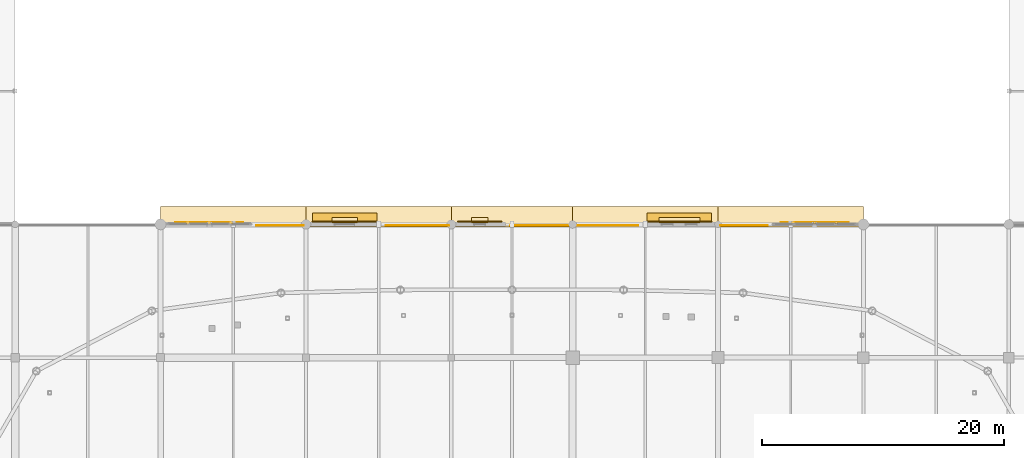
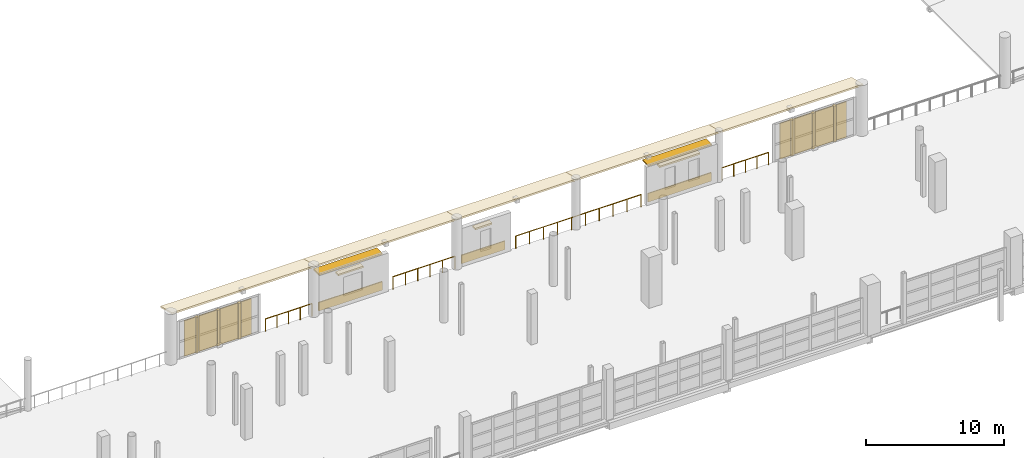
# One storey, part 108 of 118: 17 coverings, 4 railings, 4 shading devices.
"""IFC4 building model written with IfcOpenShell, lengths in metres."""

from ifc_helpers import new_model, si_unit, direction, frame, origin, origin_2d, place, context, subcontext, project, spatial, polyline, rectangle, circle, outline, extrude, material, layer, layer_set, type_object, element, save


model = new_model("IFC4")

# Units and contexts
model_context = context("Model", 3, precision=1e-05, world=origin(), true_north=direction((0.0, 1.0)))
body_context = subcontext(model_context, "Body", "Model", "MODEL_VIEW")
ifc_project = project(units=[si_unit("LENGTHUNIT", "METRE"), si_unit("AREAUNIT", "SQUARE_METRE"), si_unit("VOLUMEUNIT", "CUBIC_METRE"), si_unit("PLANEANGLEUNIT", "RADIAN"), si_unit("MASSUNIT", "GRAM", prefix="KILO")], contexts=[model_context])

# Site, building, storey
site_placement = place(None, origin())
site = spatial("IfcSite", under=ifc_project, at=site_placement, CompositionType="ELEMENT")
building_placement = place(site_placement, origin())
building = spatial("IfcBuilding", under=site, at=building_placement, Name="Luwafu Chhajja Arena", CompositionType="ELEMENT")
storey_placement = place(building_placement, frame((0.0, 0.0, 10.199951171875)))
storey = spatial("IfcBuildingStorey", under=building, at=storey_placement, Name="L02", CompositionType="ELEMENT", Elevation=10.199951171875)

# Coverings
ifc_material_1 = material(Name="Red laterite sandstone cladding", Category="masonry")
ifc_layer_1 = layer(ifc_material_1, 0.074951171875, Name="Red laterite sandstone cladding")
ifc_layer_set_1 = layer_set([ifc_layer_1], Name="Red laterite sandstone cladding")
covering_type = type_object("IfcCoveringType", Name="Dressed Red-Laterite Sandstone Cladding", PredefinedType="CLADDING", material=ifc_layer_set_1)
covering_1_placement = place(storey_placement, frame((70.0, 98.800048828125, 4.4599609375), z_axis=(0.0, 0.242502450825, 0.970150793096), x_axis=(1.0, 0.0, 0.0)))
element("IfcCovering", 1, at=covering_1_placement, inside=storey, type_object=covering_type, Name="L02 Continuous Sloped Sandstone Chhajja Eave 0154", PredefinedType="CLADDING", context=body_context, shape_type="SweptSolid", body=[
    extrude(outline(polyline([(0.0, 0.0), (12.0, 0.0), (12.0, 1.731619097341133), (0.0, 1.731619097341133), (0.0, 0.0)])), origin(), (0.0, 0.0, -1.0), 0.1298828125),
])
for number, where, z_axis, x_axis, name in (
    (2, (72.231689453125, 99.1298828125, 0.0), (0.0, 0.0, 1.0), (1.0, 0.0, 0.0), "L02 Sandstone Jali Mullion Fin 038"),
    (3, (74.023681640625, 99.1298828125, 0.0), (0.0, 0.0, 1.0), (1.0, 0.0, 0.0), "L02 Sandstone Jali Mullion Fin 038"),
    (4, (75.81591796875, 99.1298828125, 0.0), (0.0, 0.0, 1.0), (1.0, 0.0, 0.0), "L02 Sandstone Jali Mullion Fin 038"),
):
    element("IfcCovering", number, at=place(storey_placement, frame(where, z_axis=z_axis, x_axis=x_axis)), inside=storey, type_object=covering_type, Name=name, PredefinedType="CLADDING", context=body_context, shape_type="SweptSolid", body=[
        extrude(rectangle(XDim=0.219970703125, YDim=0.239990234375, at=origin_2d()), origin(), (0.0, 0.0, 1.0), 3.155029296875),
    ])
covering_2_placement = place(storey_placement, frame((82.0, 98.800048828125, 4.4599609375), z_axis=(0.0, 0.242502450825, 0.970150793096), x_axis=(1.0, 0.0, 0.0)))
element("IfcCovering", 5, at=covering_2_placement, inside=storey, type_object=covering_type, Name="L02 Continuous Sloped Sandstone Chhajja Eave 0155", PredefinedType="CLADDING", context=body_context, shape_type="SweptSolid", body=[
    extrude(outline(polyline([(0.0, 0.0), (12.0, 0.0), (12.0, 1.731619097341133), (0.0, 1.731619097341133), (0.0, 0.0)])), origin(), (0.0, 0.0, -1.0), 0.1298828125),
])
covering_3_placement = place(storey_placement, frame((85.1884765625, 99.2119140625, 0.0), z_axis=(0.0, 0.0, 1.0), x_axis=(1.0, 0.0, 0.0)))
element("IfcCovering", 6, at=covering_3_placement, inside=storey, type_object=covering_type, Name="L02 Red-Laterite Sandstone Plinth Cladding 057", PredefinedType="CLADDING", context=body_context, shape_type="SweptSolid", body=[
    extrude(rectangle(XDim=5.337158203125, YDim=0.0849609375, at=origin_2d()), origin(), (0.0, 0.0, 1.0), 0.760009765625),
])
covering_4_placement = place(storey_placement, frame((85.188720703125, 99.340087890625, 2.580078125), z_axis=(0.0, 0.0, 1.0), x_axis=(1.0, 0.0, 0.0)))
element("IfcCovering", 7, at=covering_4_placement, inside=storey, type_object=covering_type, Name="L02 Mughal Sandstone Window Chhajja Hood 0055", PredefinedType="CLADDING", context=body_context, shape_type="SweptSolid", body=[
    extrude(rectangle(XDim=2.10009765625, YDim=0.419921875, at=origin_2d()), origin(), (0.0, 0.0, 1.0), 0.139892578125),
])
covering_5_placement = place(storey_placement, frame((94.0, 98.800048828125, 4.4599609375), z_axis=(0.0, 0.242502450825, 0.970150793096), x_axis=(1.0, 0.0, 0.0)))
element("IfcCovering", 8, at=covering_5_placement, inside=storey, type_object=covering_type, Name="L02 Continuous Sloped Sandstone Chhajja Eave 0156", PredefinedType="CLADDING", context=body_context, shape_type="SweptSolid", body=[
    extrude(outline(polyline([(0.0, 0.0), (10.0, 0.0), (10.0, 1.731619097341133), (0.0, 1.731619097341133), (0.0, 0.0)])), origin(), (0.0, 0.0, -1.0), 0.1298828125),
])
covering_6_placement = place(storey_placement, frame((96.339111328125, 99.2119140625, 0.0), z_axis=(0.0, 0.0, 1.0), x_axis=(1.0, 0.0, 0.0)))
element("IfcCovering", 9, at=covering_6_placement, inside=storey, type_object=covering_type, Name="L02 Red-Laterite Sandstone Plinth Cladding 058", PredefinedType="CLADDING", context=body_context, shape_type="SweptSolid", body=[
    extrude(rectangle(XDim=3.63818359375, YDim=0.0849609375, at=origin_2d()), origin(), (0.0, 0.0, 1.0), 0.760009765625),
])
covering_7_placement = place(storey_placement, frame((96.339111328125, 99.340087890625, 2.6298828125), z_axis=(0.0, 0.0, 1.0), x_axis=(1.0, 0.0, 0.0)))
element("IfcCovering", 10, at=covering_7_placement, inside=storey, type_object=covering_type, Name="L02 Mughal Sandstone Window Chhajja Hood 0056", PredefinedType="CLADDING", context=body_context, shape_type="SweptSolid", body=[
    extrude(rectangle(XDim=1.39990234375, YDim=0.419921875, at=origin_2d()), origin(), (0.0, 0.0, 1.0), 0.139892578125),
])
covering_8_placement = place(storey_placement, frame((104.0, 98.800048828125, 4.4599609375), z_axis=(0.0, 0.242502450825, 0.970150793096), x_axis=(1.0, 0.0, 0.0)))
element("IfcCovering", 11, at=covering_8_placement, inside=storey, type_object=covering_type, Name="L02 Continuous Sloped Sandstone Chhajja Eave 0157", PredefinedType="CLADDING", context=body_context, shape_type="SweptSolid", body=[
    extrude(outline(polyline([(0.0, 0.0), (12.0, 0.0), (12.0, 1.731619097341133), (0.0, 1.731619097341133), (0.0, 0.0)])), origin(), (0.0, 0.0, -1.0), 0.1298828125),
])
covering_9_placement = place(storey_placement, frame((112.8115234375, 99.2119140625, 0.0), z_axis=(0.0, 0.0, 1.0), x_axis=(1.0, 0.0, 0.0)))
element("IfcCovering", 12, at=covering_9_placement, inside=storey, type_object=covering_type, Name="L02 Red-Laterite Sandstone Plinth Cladding 059", PredefinedType="CLADDING", context=body_context, shape_type="SweptSolid", body=[
    extrude(rectangle(XDim=5.337158203125, YDim=0.0849609375, at=origin_2d()), origin(), (0.0, 0.0, 1.0), 0.760009765625),
])
covering_10_placement = place(storey_placement, frame((112.811279296875, 99.340087890625, 2.72998046875), z_axis=(0.0, 0.0, 1.0), x_axis=(1.0, 0.0, 0.0)))
element("IfcCovering", 13, at=covering_10_placement, inside=storey, type_object=covering_type, Name="L02 Mughal Sandstone Window Chhajja Hood 0057", PredefinedType="CLADDING", context=body_context, shape_type="SweptSolid", body=[
    extrude(rectangle(XDim=3.379150390625, YDim=0.419921875, at=origin_2d()), origin(), (0.0, 0.0, 1.0), 0.139892578125),
])
covering_11_placement = place(storey_placement, frame((116.0, 98.800048828125, 4.4599609375), z_axis=(0.0, 0.242502450825, 0.970150793096), x_axis=(1.0, 0.0, 0.0)))
element("IfcCovering", 14, at=covering_11_placement, inside=storey, type_object=covering_type, Name="L02 Continuous Sloped Sandstone Chhajja Eave 0158", PredefinedType="CLADDING", context=body_context, shape_type="SweptSolid", body=[
    extrude(outline(polyline([(0.0, 0.0), (12.0, 0.0), (12.0, 1.731619097341133), (0.0, 1.731619097341133), (0.0, 0.0)])), origin(), (0.0, 0.0, -1.0), 0.1298828125),
])
for number, where, z_axis, x_axis, name in (
    (15, (122.18408203125, 99.1298828125, 0.0), (0.0, 0.0, 1.0), (1.0, 0.0, 0.0), "L02 Sandstone Jali Mullion Fin 039"),
    (16, (123.976318359375, 99.1298828125, 0.0), (0.0, 0.0, 1.0), (1.0, 0.0, 0.0), "L02 Sandstone Jali Mullion Fin 039"),
    (17, (125.768310546875, 99.1298828125, 0.0), (0.0, 0.0, 1.0), (1.0, 0.0, 0.0), "L02 Sandstone Jali Mullion Fin 039"),
):
    element("IfcCovering", number, at=place(storey_placement, frame(where, z_axis=z_axis, x_axis=x_axis)), inside=storey, type_object=covering_type, Name=name, PredefinedType="CLADDING", context=body_context, shape_type="SweptSolid", body=[
        extrude(rectangle(XDim=0.219970703125, YDim=0.239990234375, at=origin_2d()), origin(), (0.0, 0.0, 1.0), 3.155029296875),
    ])

# Shading devices
ifc_material_2 = material(Name="Pierced buff sandstone jali", Category="masonry")
ifc_layer_2 = layer(ifc_material_2, 0.080078125, Name="Pierced buff sandstone jali")
ifc_layer_set_2 = layer_set([ifc_layer_2], Name="Pierced buff sandstone jali")
shading_device_type_1 = type_object("IfcShadingDeviceType", Name="Pierced Buff-Sandstone Jali Screen", PredefinedType="JALOUSIE", material=ifc_layer_set_2)
for number, where, z_axis, x_axis, name in (
    (18, (74.023681640625, 99.1298828125, 0.0), (0.0, 0.0, 1.0), (1.0, 0.0, 0.0), "L02 Pierced Buff-Sandstone Jali Screen 038"),
    (19, (123.976318359375, 99.1298828125, 0.0), (0.0, 0.0, 1.0), (1.0, 0.0, 0.0), "L02 Pierced Buff-Sandstone Jali Screen 039"),
):
    element("IfcShadingDevice", number, at=place(storey_placement, frame(where, z_axis=z_axis, x_axis=x_axis)), inside=storey, type_object=shading_device_type_1, Name=name, PredefinedType="JALOUSIE", context=body_context, shape_type="SweptSolid", body=[
        extrude(rectangle(XDim=5.60009765625, YDim=0.080078125, at=origin_2d()), origin(), (0.0, 0.0, 1.0), 3.155029296875),
    ])
ifc_material_3 = material(Name="Red laterite sandstone chhajja", Category="masonry")
ifc_layer_3 = layer(ifc_material_3, 0.1201171875, Name="Red laterite sandstone chhajja")
ifc_layer_set_3 = layer_set([ifc_layer_3], Name="Red laterite sandstone chhajja")
shading_device_type_2 = type_object("IfcShadingDeviceType", Name="Sloped Red-Sandstone Chhajja Eave", PredefinedType="USERDEFINED", material=ifc_layer_set_3)
for number, where, z_axis, x_axis, name in (
    (20, (85.1884765625, 99.5400390625, 3.18505859375), (0.0, 0.0, 1.0), (1.0, 0.0, 0.0), "L02 Sloped Red-Sandstone Chhajja Eave 054"),
    (21, (112.8115234375, 99.5400390625, 3.18505859375), (0.0, 0.0, 1.0), (1.0, 0.0, 0.0), "L02 Sloped Red-Sandstone Chhajja Eave 055"),
):
    element("IfcShadingDevice", number, at=place(storey_placement, frame(where, z_axis=z_axis, x_axis=x_axis)), inside=storey, type_object=shading_device_type_2, Name=name, ObjectType="CHHAJJA", PredefinedType="USERDEFINED", context=body_context, shape_type="SweptSolid", body=[
        extrude(rectangle(XDim=5.337158203125, YDim=0.820068359375, at=origin_2d()), origin(), (0.0, 0.0, 1.0), 0.1201171875),
    ])

# Railings
ifc_material_4 = material(Name="Stainless steel balustrade", Category="steel")
railing_type = type_object("IfcRailingType", Name="Stair and Terrace Guard Balustrade 1100", PredefinedType="BALUSTRADE", material=ifc_material_4)
railing_1_placement = place(storey_placement, frame((77.89599609375, 98.89990234375, 0.0)))
element("IfcRailing", 22, at=railing_1_placement, inside=storey, type_object=railing_type, Name="L02 Outer Slab Edge Guard 003", PredefinedType="BALUSTRADE", context=body_context, shape_type="SweptSolid", body=[
    extrude(circle(Radius=0.02392578125, at=origin_2d()), frame((0.0, 0.0, 1.09619140625), z_axis=(1.0, 0.0, 0.0), x_axis=(0.0, 1.0, 0.0)), (0.0, 0.0, 1.0), 3.885986328125),
    extrude(circle(Radius=0.02099609375, at=origin_2d()), origin(), (0.0, 0.0, 1.0), 1.072021484375),
    extrude(circle(Radius=0.02099609375, at=origin_2d()), frame((0.971435546875, 0.0, 0.0)), (0.0, 0.0, 1.0), 1.072021484375),
    extrude(circle(Radius=0.02099609375, at=origin_2d()), frame((1.94287109375, 0.0, 0.0)), (0.0, 0.0, 1.0), 1.072021484375),
    extrude(circle(Radius=0.02099609375, at=origin_2d()), frame((2.91455078125, 0.0, 0.0)), (0.0, 0.0, 1.0), 1.072021484375),
    extrude(circle(Radius=0.02099609375, at=origin_2d()), frame((3.885986328125, 0.0, 0.0)), (0.0, 0.0, 1.0), 1.072021484375),
])
railing_2_placement = place(storey_placement, frame((88.594970703125, 98.89990234375, 0.0)))
element("IfcRailing", 23, at=railing_2_placement, inside=storey, type_object=railing_type, Name="L02 Outer Slab Edge Guard 004", PredefinedType="BALUSTRADE", context=body_context, shape_type="SweptSolid", body=[
    extrude(circle(Radius=0.02392578125, at=origin_2d()), frame((0.0, 0.0, 1.09619140625), z_axis=(1.0, 0.0, 0.0), x_axis=(0.0, 1.0, 0.0)), (0.0, 0.0, 1.0), 5.18701171875),
    extrude(circle(Radius=0.02099609375, at=origin_2d()), origin(), (0.0, 0.0, 1.0), 1.072021484375),
    extrude(circle(Radius=0.02099609375, at=origin_2d()), frame((1.037353515625, 0.0, 0.0)), (0.0, 0.0, 1.0), 1.072021484375),
    extrude(circle(Radius=0.02099609375, at=origin_2d()), frame((2.07470703125, 0.0, 0.0)), (0.0, 0.0, 1.0), 1.072021484375),
    extrude(circle(Radius=0.02099609375, at=origin_2d()), frame((3.1123046875, 0.0, 0.0)), (0.0, 0.0, 1.0), 1.072021484375),
    extrude(circle(Radius=0.02099609375, at=origin_2d()), frame((4.149658203125, 0.0, 0.0)), (0.0, 0.0, 1.0), 1.072021484375),
    extrude(circle(Radius=0.02099609375, at=origin_2d()), frame((5.18701171875, 0.0, 0.0)), (0.0, 0.0, 1.0), 1.072021484375),
])
railing_3_placement = place(storey_placement, frame((98.89599609375, 98.89990234375, 0.0)))
element("IfcRailing", 24, at=railing_3_placement, inside=storey, type_object=railing_type, Name="L02 Outer Slab Edge Guard 005", PredefinedType="BALUSTRADE", context=body_context, shape_type="SweptSolid", body=[
    extrude(circle(Radius=0.02392578125, at=origin_2d()), frame((0.0, 0.0, 1.09619140625), z_axis=(1.0, 0.0, 0.0), x_axis=(0.0, 1.0, 0.0)), (0.0, 0.0, 1.0), 10.509033203125),
    extrude(circle(Radius=0.02099609375, at=origin_2d()), origin(), (0.0, 0.0, 1.0), 1.072021484375),
    extrude(circle(Radius=0.02099609375, at=origin_2d()), frame((1.167724609375, 0.0, 0.0)), (0.0, 0.0, 1.0), 1.072021484375),
    extrude(circle(Radius=0.02099609375, at=origin_2d()), frame((2.33544921875, 0.0, 0.0)), (0.0, 0.0, 1.0), 1.072021484375),
    extrude(circle(Radius=0.02099609375, at=origin_2d()), frame((3.5029296875, 0.0, 0.0)), (0.0, 0.0, 1.0), 1.072021484375),
    extrude(circle(Radius=0.02099609375, at=origin_2d()), frame((4.670654296875, 0.0, 0.0)), (0.0, 0.0, 1.0), 1.072021484375),
    extrude(circle(Radius=0.02099609375, at=origin_2d()), frame((5.83837890625, 0.0, 0.0)), (0.0, 0.0, 1.0), 1.072021484375),
    extrude(circle(Radius=0.02099609375, at=origin_2d()), frame((7.006103515625, 0.0, 0.0)), (0.0, 0.0, 1.0), 1.072021484375),
    extrude(circle(Radius=0.02099609375, at=origin_2d()), frame((8.173583984375, 0.0, 0.0)), (0.0, 0.0, 1.0), 1.072021484375),
    extrude(circle(Radius=0.02099609375, at=origin_2d()), frame((9.34130859375, 0.0, 0.0)), (0.0, 0.0, 1.0), 1.072021484375),
    extrude(circle(Radius=0.02099609375, at=origin_2d()), frame((10.509033203125, 0.0, 0.0)), (0.0, 0.0, 1.0), 1.072021484375),
])
railing_4_placement = place(storey_placement, frame((116.218017578125, 98.89990234375, 0.0)))
element("IfcRailing", 25, at=railing_4_placement, inside=storey, type_object=railing_type, Name="L02 Outer Slab Edge Guard 006", PredefinedType="BALUSTRADE", context=body_context, shape_type="SweptSolid", body=[
    extrude(circle(Radius=0.02392578125, at=origin_2d()), frame((0.0, 0.0, 1.09619140625), z_axis=(1.0, 0.0, 0.0), x_axis=(0.0, 1.0, 0.0)), (0.0, 0.0, 1.0), 3.885986328125),
    extrude(circle(Radius=0.02099609375, at=origin_2d()), origin(), (0.0, 0.0, 1.0), 1.072021484375),
    extrude(circle(Radius=0.02099609375, at=origin_2d()), frame((0.971435546875, 0.0, 0.0)), (0.0, 0.0, 1.0), 1.072021484375),
    extrude(circle(Radius=0.02099609375, at=origin_2d()), frame((1.94287109375, 0.0, 0.0)), (0.0, 0.0, 1.0), 1.072021484375),
    extrude(circle(Radius=0.02099609375, at=origin_2d()), frame((2.91455078125, 0.0, 0.0)), (0.0, 0.0, 1.0), 1.072021484375),
    extrude(circle(Radius=0.02099609375, at=origin_2d()), frame((3.885986328125, 0.0, 0.0)), (0.0, 0.0, 1.0), 1.072021484375),
])

save(model, "model.ifc")
